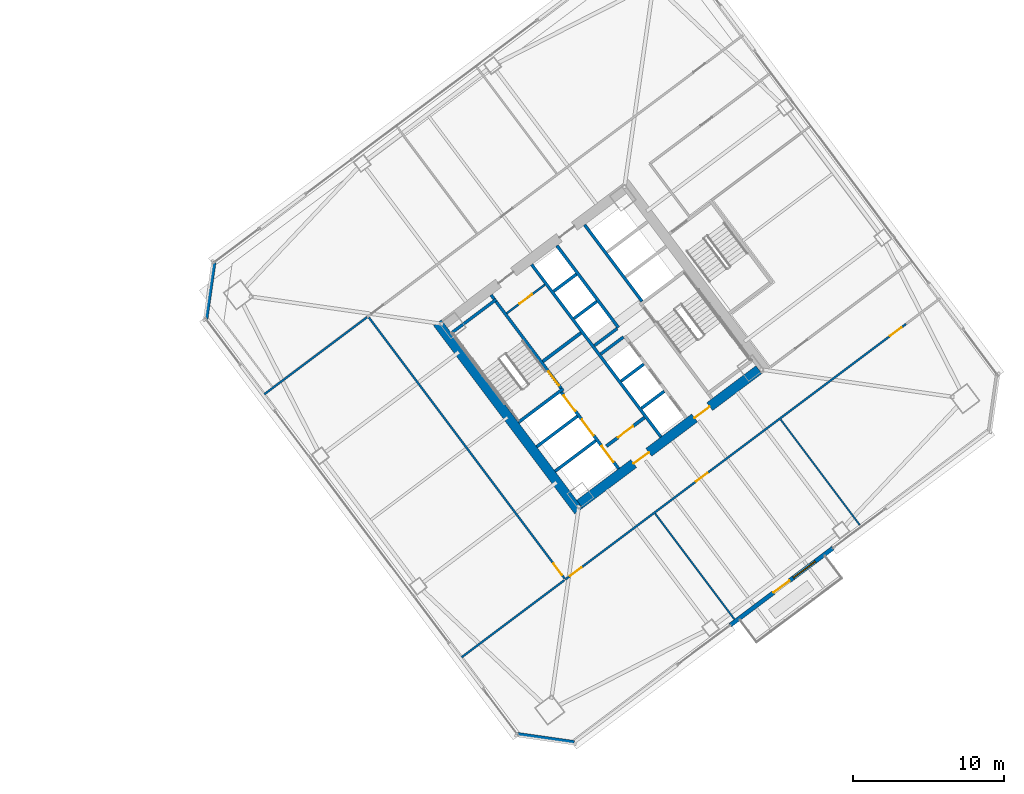
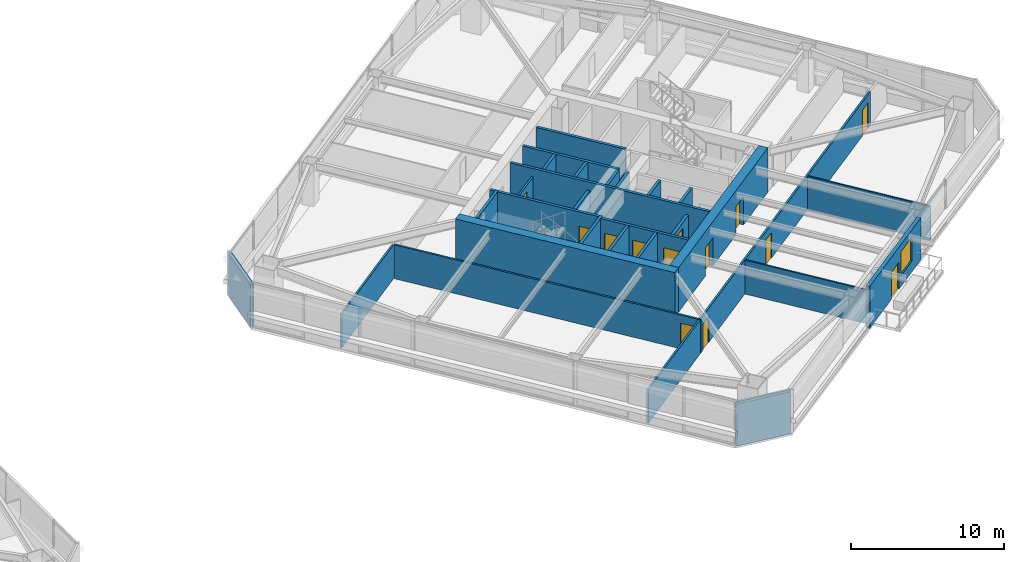
# One storey, part 40 of 48: 29 walls, 13 doors, 1 window, 14 openings.
"""IFC4 building model written with IfcOpenShell, lengths in metres."""

from ifc_helpers import new_model, si_unit, direction, frame, frame_2d, origin, place, context, subcontext, project, spatial, rectangle, extrude, material, layer, layer_set, type_object, element, fill, save


model = new_model("IFC4")

# Units and contexts
model_context = context("Model", 3, precision=1e-05, world=origin(), true_north=direction((0.0, 1.0)))
body_context = subcontext(model_context, "Body", "Model", "MODEL_VIEW")
ifc_project = project(units=[si_unit("LENGTHUNIT", "METRE"), si_unit("AREAUNIT", "SQUARE_METRE"), si_unit("VOLUMEUNIT", "CUBIC_METRE"), si_unit("PLANEANGLEUNIT", "RADIAN"), si_unit("MASSUNIT", "GRAM", prefix="KILO")], contexts=[model_context])

# Site, building, storey
site_placement = place(None, origin())
site = spatial("IfcSite", under=ifc_project, at=site_placement, CompositionType="ELEMENT")
building_placement = place(site_placement, origin())
building = spatial("IfcBuilding", under=site, at=building_placement, Name="Tashvorn Skyway Center", CompositionType="ELEMENT")
storey_placement = place(building_placement, frame((0.0, 0.0, 77.85009765625)))
storey = spatial("IfcBuildingStorey", under=building, at=storey_placement, Name="L20", CompositionType="ELEMENT", Elevation=77.85009765625)

# Wall
ifc_material_1 = material(Name="Concrete C60/75", Category="concrete")
ifc_layer_1 = layer(ifc_material_1, 0.64990234375)
ifc_layer_set_1 = layer_set([ifc_layer_1], Name="Concrete C60/75")
wall_type_1 = type_object("IfcWallType", Name="WALL-CORE-650", PredefinedType="SHEAR", material=ifc_layer_set_1)
wall_1_placement = place(storey_placement, frame((112.47607421875, 21.10693359375, 0.0), z_axis=(0.0, 0.0, 1.0), x_axis=(-0.600005007985, 0.799996243986, 0.0)))
element("IfcWall", 1, at=wall_1_placement, inside=storey, type_object=wall_type_1, Name="Tower 2 L20 West Core Shear Wall", PredefinedType="SHEAR", context=body_context, shape_type="SweptSolid", body=[
    extrude(rectangle(XDim=15.60009765625, YDim=0.64990234375, at=frame_2d((7.800048828125, 0.0))), origin(), (0.0, 0.0, 1.0), 3.5498046875),
])

# Wall, openings, doors
wall_2_placement = place(storey_placement, frame((124.428955078125, 30.47802734375, 0.0), z_axis=(0.0, 0.0, 1.0), x_axis=(-0.799998028465, -0.600002628705, 0.0)))
wall_2 = element("IfcWall", 2, at=wall_2_placement, inside=storey, type_object=wall_type_1, Name="Tower 2 L20 South Core Shear Wall", PredefinedType="SHEAR", context=body_context, shape_type="SweptSolid", body=[
    extrude(rectangle(XDim=14.85986328125, YDim=0.64990234375, at=frame_2d((7.429931640625, 0.0))), origin(), (0.0, 0.0, 1.0), 3.5498046875),
])
opening_1_placement = place(wall_2_placement, frame((9.1298828125, 0.0, 0.0)))
opening_1 = element("IfcOpeningElement", 3, at=opening_1_placement, cuts=wall_2, Name="Opening D-FFL-1250", PredefinedType="OPENING", context=body_context, shape_type="SweptSolid", body=[
    extrude(rectangle(XDim=1.25, YDim=2.25, at=frame_2d((0.625, 1.125))), frame((0.0, 0.3349609375, 0.0), z_axis=(0.0, -1.0, 0.0), x_axis=(1.0, 0.0, 0.0)), (0.0, 0.0, 1.0), 0.669921875),
])
opening_2_placement = place(wall_2_placement, frame((4.080078125, 0.0, 0.0)))
opening_2 = element("IfcOpeningElement", 4, at=opening_2_placement, cuts=wall_2, Name="Opening D-FFL-1250", PredefinedType="OPENING", context=body_context, shape_type="SweptSolid", body=[
    extrude(rectangle(XDim=1.25, YDim=2.25, at=frame_2d((0.625, 1.125))), frame((0.0, 0.3349609375, 0.0), z_axis=(0.0, -1.0, 0.0), x_axis=(1.0, 0.0, 0.0)), (0.0, 0.0, 1.0), 0.669921875),
])
ifc_material_2 = material(Name="Hollow galvanized steel fire door assembly", Category="steel")
door_type_1 = type_object("IfcDoorType", Name="DOOR-FFL-1250", OperationType="NOTDEFINED", PredefinedType="DOOR", material=ifc_material_2)
door_1_placement = place(opening_1_placement, origin())
door_1 = element("IfcDoor", 5, at=door_1_placement, inside=storey, type_object=door_type_1, Name="Tower 2 L20 Core South Firefighting Exit Door", OperationType="SINGLE_SWING_LEFT", OverallHeight=2.25, OverallWidth=1.25, PredefinedType="DOOR", context=body_context, shape_type="SweptSolid", body=[
    extrude(rectangle(XDim=1.25, YDim=2.25, at=frame_2d((0.625, 1.125))), frame((0.0, 0.02490234375, 0.0), z_axis=(0.0, -1.0, 0.0), x_axis=(1.0, 0.0, 0.0)), (0.0, 0.0, 1.0), 0.050048828125),
])
fill(opening_1, door_1)
door_2_placement = place(opening_2_placement, origin())
door_2 = element("IfcDoor", 6, at=door_2_placement, inside=storey, type_object=door_type_1, Name="Tower 2 L20 Core South Lift Lobby Door", OperationType="SINGLE_SWING_RIGHT", OverallHeight=2.25, OverallWidth=1.25, PredefinedType="DOOR", context=body_context, shape_type="SweptSolid", body=[
    extrude(rectangle(XDim=1.25, YDim=2.25, at=frame_2d((0.625, 1.125))), frame((0.0, 0.02490234375, 0.0), z_axis=(0.0, -1.0, 0.0), x_axis=(1.0, 0.0, 0.0)), (0.0, 0.0, 1.0), 0.050048828125),
])
fill(opening_2, door_2)

# Wall, openings, door, window
ifc_material_3 = material(Name="Precast concrete C40/50", Category="concrete")
ifc_layer_2 = layer(ifc_material_3, 0.280029296875)
ifc_layer_set_2 = layer_set([ifc_layer_2], Name="Precast concrete C40/50")
wall_type_2 = type_object("IfcWallType", Name="WALL-EXT-280", PredefinedType="SOLIDWALL", material=ifc_layer_set_2)
wall_3_placement = place(storey_placement, frame((129.327880859375, 18.64599609375, 0.0), z_axis=(0.0, 0.0, 1.0), x_axis=(-0.799986212866, -0.600018382406, 0.0)))
wall_3 = element("IfcWall", 7, at=wall_3_placement, inside=storey, type_object=wall_type_2, Name="Tower 2 L20 South Terrace Portal Wall", PredefinedType="SOLIDWALL", context=body_context, shape_type="SweptSolid", body=[
    extrude(rectangle(XDim=8.5, YDim=0.280029296875, at=frame_2d((4.25, 0.0))), origin(), (0.0, 0.0, 1.0), 3.349853515625),
])
opening_3_placement = place(wall_3_placement, frame((3.60009765625, 0.0, 0.0)))
opening_3 = element("IfcOpeningElement", 8, at=opening_3_placement, cuts=wall_3, Name="Opening D-TER-1300", PredefinedType="OPENING", context=body_context, shape_type="SweptSolid", body=[
    extrude(rectangle(XDim=1.300048828125, YDim=2.14990234375, at=frame_2d((0.64990234375, 1.074951171875))), frame((0.0, 0.14990234375, 0.0), z_axis=(0.0, -1.0, 0.0), x_axis=(1.0, 0.0, 0.0)), (0.0, 0.0, 1.0), 0.300048828125),
])
opening_4_placement = place(wall_3_placement, frame((1.4599609375, 0.0, 0.85009765625)))
opening_4 = element("IfcOpeningElement", 9, at=opening_4_placement, cuts=wall_3, Name="Opening WIN-1800", PredefinedType="OPENING", context=body_context, shape_type="SweptSolid", body=[
    extrude(rectangle(XDim=1.800048828125, YDim=1.919921875, at=frame_2d((0.89990234375, 0.9599609375))), frame((0.0, 0.14990234375, 0.0), z_axis=(0.0, -1.0, 0.0), x_axis=(1.0, 0.0, 0.0)), (0.0, 0.0, 1.0), 0.300048828125),
])
ifc_material_4 = material(Name="Thermally broken bronze-anodized aluminium 6063-T6", Category="aluminium")
door_type_2 = type_object("IfcDoorType", Name="DOOR-TERR-1300", OperationType="NOTDEFINED", PredefinedType="DOOR", material=ifc_material_4)
door_3_placement = place(opening_3_placement, origin())
door_3 = element("IfcDoor", 10, at=door_3_placement, inside=storey, type_object=door_type_2, Name="Tower 2 L20 Terrace Access Door", OperationType="SINGLE_SWING_LEFT", OverallHeight=2.14990234375, OverallWidth=1.300048828125, PredefinedType="DOOR", context=body_context, shape_type="SweptSolid", body=[
    extrude(rectangle(XDim=1.300048828125, YDim=2.14990234375, at=frame_2d((0.64990234375, 1.074951171875))), frame((0.0, 0.02490234375, 0.0), z_axis=(0.0, -1.0, 0.0), x_axis=(1.0, 0.0, 0.0)), (0.0, 0.0, 1.0), 0.050048828125),
])
fill(opening_3, door_3)
ifc_material_5 = material(Name="Low-E solar-control double insulating safety glass", Category="glass")
window_type = type_object("IfcWindowType", Name="WIN-TERR-1800", PartitioningType="SINGLE_PANEL", PredefinedType="WINDOW", material=ifc_material_5)
window_placement = place(opening_4_placement, origin())
window = element("IfcWindow", 11, at=window_placement, inside=storey, type_object=window_type, Name="Tower 2 L20 Terrace Window", OverallHeight=1.919921875, OverallWidth=1.800048828125, PartitioningType="SINGLE_PANEL", PredefinedType="WINDOW", context=body_context, shape_type="SweptSolid", body=[
    extrude(rectangle(XDim=1.800048828125, YDim=1.919921875, at=frame_2d((0.89990234375, 0.9599609375))), frame((0.0, 0.030029296875, 0.0), z_axis=(0.0, -1.0, 0.0), x_axis=(1.0, 0.0, 0.0)), (0.0, 0.0, 1.0), 0.06005859375),
])
fill(opening_4, window)

# Walls
for number, where, z_axis, x_axis, name in (
    (12, (112.179931640625, 5.760009765625, 0.0), (0.0, 0.0, 1.0), (-0.989948214866, 0.141430307517, 0.0), "Tower 2 L20 SW Precast Chamfer Wall"),
    (13, (87.760009765625, 33.820068359375, 0.0), (0.0, 0.0, 1.0), (0.141430307517, 0.989948214866, 0.0), "Tower 2 L20 NW Precast Chamfer Wall"),
):
    element("IfcWall", number, at=place(storey_placement, frame(where, z_axis=z_axis, x_axis=x_axis)), inside=storey, type_object=wall_type_2, Name=name, PredefinedType="SOLIDWALL", context=body_context, shape_type="SweptSolid", body=[
        extrude(rectangle(XDim=3.818359375, YDim=0.280029296875, at=frame_2d((1.9091796875, 0.0))), origin(), (0.0, 0.0, 1.0), 3.349853515625),
    ])
ifc_material_6 = material(Name="Concrete C40/50", Category="concrete")
ifc_layer_3 = layer(ifc_material_6, 0.219970703125)
ifc_layer_set_3 = layer_set([ifc_layer_3], Name="Concrete C40/50")
wall_type_3 = type_object("IfcWallType", Name="WALL-FFL-220", PredefinedType="SOLIDWALL", material=ifc_layer_set_3)
wall_4_placement = place(storey_placement, frame((110.10400390625, 31.028076171875, 0.0), z_axis=(0.0, 0.0, 1.0), x_axis=(0.800018601094, 0.59997519774, 0.0)))
element("IfcWall", 14, at=wall_4_placement, inside=storey, type_object=wall_type_3, Name="Tower 2 L20 Firefighting Lobby North Wall", PredefinedType="SOLIDWALL", context=body_context, shape_type="SweptSolid", body=[
    extrude(rectangle(XDim=3.14990234375, YDim=0.219970703125, at=frame_2d((1.574951171875, 0.0))), origin(), (0.0, 0.0, 1.0), 2.702880859375),
])

# Wall, opening, door
wall_5_placement = place(storey_placement, frame((114.31591796875, 25.412109375, 0.0), z_axis=(0.0, 0.0, 1.0), x_axis=(0.800018601094, 0.59997519774, 0.0)))
wall_5 = element("IfcWall", 15, at=wall_5_placement, inside=storey, type_object=wall_type_3, Name="Tower 2 L20 Firefighting Lobby South Wall", PredefinedType="SOLIDWALL", context=body_context, shape_type="SweptSolid", body=[
    extrude(rectangle(XDim=3.14990234375, YDim=0.219970703125, at=frame_2d((1.574951171875, 0.0))), origin(), (0.0, 0.0, 1.0), 2.702880859375),
])
opening_5_placement = place(wall_5_placement, frame((0.949951171875, 0.0, 0.0)))
opening_5 = element("IfcOpeningElement", 16, at=opening_5_placement, cuts=wall_5, Name="Opening D-FFL-1250", PredefinedType="OPENING", context=body_context, shape_type="SweptSolid", body=[
    extrude(rectangle(XDim=1.25, YDim=2.25, at=frame_2d((0.625, 1.125))), frame((0.0, 0.119873046875, 0.0), z_axis=(0.0, -1.0, 0.0), x_axis=(1.0, 0.0, 0.0)), (0.0, 0.0, 1.0), 0.239990234375),
])
door_4_placement = place(opening_5_placement, origin())
door_4 = element("IfcDoor", 17, at=door_4_placement, inside=storey, type_object=door_type_1, Name="Tower 2 L20 Firefighting Lobby Egress Door", OperationType="SINGLE_SWING_LEFT", OverallHeight=2.25, OverallWidth=1.25, PredefinedType="DOOR", context=body_context, shape_type="SweptSolid", body=[
    extrude(rectangle(XDim=1.25, YDim=2.25, at=frame_2d((0.625, 1.125))), frame((0.0, 0.02490234375, 0.0), z_axis=(0.0, -1.0, 0.0), x_axis=(1.0, 0.0, 0.0)), (0.0, 0.0, 1.0), 0.050048828125),
])
fill(opening_5, door_4)

# Walls
ifc_material_7 = material(Name="Gypsum board on cold-formed steel stud framing", Category="steel")
ifc_layer_4 = layer(ifc_material_7, 0.110107421875)
ifc_layer_set_4 = layer_set([ifc_layer_4], Name="Gypsum board on cold-formed steel stud framing")
wall_type_4 = type_object("IfcWallType", Name="WALL-PART-110", PredefinedType="PARTITIONING", material=ifc_layer_set_4)
for number, where, z_axis, x_axis, name in (
    (18, (122.798095703125, 13.93603515625, 0.0), (0.0, 0.0, 1.0), (-0.6, 0.8, 0.0), "Tower 2 L20 South Suite Partition 1"),
    (19, (131.117919921875, 20.176025390625, 0.0), (0.0, 0.0, 1.0), (-0.6, 0.8, 0.0), "Tower 2 L20 South Suite Partition 2"),
):
    element("IfcWall", number, at=place(storey_placement, frame(where, z_axis=z_axis, x_axis=x_axis)), inside=storey, type_object=wall_type_4, Name=name, PredefinedType="PARTITIONING", context=body_context, shape_type="SweptSolid", body=[
        extrude(rectangle(XDim=8.75, YDim=0.110107421875, at=frame_2d((4.375, 0.0))), origin(), (0.0, 0.0, 1.0), 2.702880859375),
    ])

# Wall, openings, doors
ifc_layer_5 = layer(ifc_material_7, 0.135009765625)
ifc_layer_set_5 = layer_set([ifc_layer_5], Name="Gypsum board on cold-formed steel stud framing")
wall_type_5 = type_object("IfcWallType", Name="WALL-PART-135", PredefinedType="PARTITIONING", material=ifc_layer_set_5)
wall_6_placement = place(storey_placement, frame((134.179931640625, 33.510009765625, 0.0), z_axis=(0.0, 0.0, 1.0), x_axis=(-0.8, -0.6, 0.0)))
wall_6 = element("IfcWall", 20, at=wall_6_placement, inside=storey, type_object=wall_type_5, Name="Tower 2 L20 South Suite Wall", PredefinedType="PARTITIONING", context=body_context, shape_type="SweptSolid", body=[
    extrude(rectangle(XDim=28.22998046875, YDim=0.135009765625, at=frame_2d((14.114990234375, 0.0))), origin(), (0.0, 0.0, 1.0), 2.702880859375),
])
opening_6_placement = place(wall_6_placement, frame((26.89990234375, 0.0, 0.0)))
opening_6 = element("IfcOpeningElement", 21, at=opening_6_placement, cuts=wall_6, Name="Opening D-INT-950", PredefinedType="OPENING", context=body_context, shape_type="SweptSolid", body=[
    extrude(rectangle(XDim=0.949951171875, YDim=2.050048828125, at=frame_2d((0.47509765625, 1.02490234375))), frame((0.0, 0.077392578125, 0.0), z_axis=(0.0, -1.0, 0.0), x_axis=(1.0, 0.0, 0.0)), (0.0, 0.0, 1.0), 0.155029296875),
])
opening_7_placement = place(wall_6_placement, frame((16.452880859375, 0.0, 0.0)))
opening_7 = element("IfcOpeningElement", 22, at=opening_7_placement, cuts=wall_6, Name="Opening D-INT-950", PredefinedType="OPENING", context=body_context, shape_type="SweptSolid", body=[
    extrude(rectangle(XDim=0.949951171875, YDim=2.050048828125, at=frame_2d((0.47509765625, 1.02490234375))), frame((0.0, 0.077392578125, 0.0), z_axis=(0.0, -1.0, 0.0), x_axis=(1.0, 0.0, 0.0)), (0.0, 0.0, 1.0), 0.155029296875),
])
opening_8_placement = place(wall_6_placement, frame((0.3798828125, 0.0, 0.0)))
opening_8 = element("IfcOpeningElement", 23, at=opening_8_placement, cuts=wall_6, Name="Opening D-INT-950", PredefinedType="OPENING", context=body_context, shape_type="SweptSolid", body=[
    extrude(rectangle(XDim=0.949951171875, YDim=2.050048828125, at=frame_2d((0.47509765625, 1.02490234375))), frame((0.0, 0.077392578125, 0.0), z_axis=(0.0, -1.0, 0.0), x_axis=(1.0, 0.0, 0.0)), (0.0, 0.0, 1.0), 0.155029296875),
])
ifc_material_8 = material(Name="Solid-core architectural oak veneer door")
door_type_3 = type_object("IfcDoorType", Name="DOOR-INT-950", OperationType="NOTDEFINED", PredefinedType="DOOR", material=ifc_material_8)
door_5_placement = place(opening_6_placement, origin())
door_5 = element("IfcDoor", 24, at=door_5_placement, inside=storey, type_object=door_type_3, Name="Tower 2 L20 Conference Room Door", OperationType="SINGLE_SWING_LEFT", OverallHeight=2.050048828125, OverallWidth=0.949951171875, PredefinedType="DOOR", context=body_context, shape_type="SweptSolid", body=[
    extrude(rectangle(XDim=0.949951171875, YDim=2.050048828125, at=frame_2d((0.47509765625, 1.02490234375))), frame((0.0, 0.02490234375, 0.0), z_axis=(0.0, -1.0, 0.0), x_axis=(1.0, 0.0, 0.0)), (0.0, 0.0, 1.0), 0.050048828125),
])
fill(opening_6, door_5)
door_6_placement = place(opening_7_placement, origin())
door_6 = element("IfcDoor", 25, at=door_6_placement, inside=storey, type_object=door_type_3, Name="Tower 2 L20 Collaborative Studio Door", OperationType="SINGLE_SWING_RIGHT", OverallHeight=2.050048828125, OverallWidth=0.949951171875, PredefinedType="DOOR", context=body_context, shape_type="SweptSolid", body=[
    extrude(rectangle(XDim=0.949951171875, YDim=2.050048828125, at=frame_2d((0.47509765625, 1.02490234375))), frame((0.0, 0.02490234375, 0.0), z_axis=(0.0, -1.0, 0.0), x_axis=(1.0, 0.0, 0.0)), (0.0, 0.0, 1.0), 0.050048828125),
])
fill(opening_7, door_6)
door_7_placement = place(opening_8_placement, origin())
door_7 = element("IfcDoor", 26, at=door_7_placement, inside=storey, type_object=door_type_3, Name="Tower 2 L20 Collaborative Studio Door", OperationType="SINGLE_SWING_LEFT", OverallHeight=2.050048828125, OverallWidth=0.949951171875, PredefinedType="DOOR", context=body_context, shape_type="SweptSolid", body=[
    extrude(rectangle(XDim=0.949951171875, YDim=2.050048828125, at=frame_2d((0.47509765625, 1.02490234375))), frame((0.0, 0.02490234375, 0.0), z_axis=(0.0, -1.0, 0.0), x_axis=(1.0, 0.0, 0.0)), (0.0, 0.0, 1.0), 0.050048828125),
])
fill(opening_8, door_7)

# Wall, opening, door
wall_7_placement = place(storey_placement, frame((111.548095703125, 16.635986328125, 0.0), z_axis=(0.0, 0.0, 1.0), x_axis=(-0.600003610192, 0.799997292343, 0.0)))
wall_7 = element("IfcWall", 27, at=wall_7_placement, inside=storey, type_object=wall_type_5, Name="Tower 2 L20 West Inner Suite Wall", PredefinedType="PARTITIONING", context=body_context, shape_type="SweptSolid", body=[
    extrude(rectangle(XDim=21.64013671875, YDim=0.135009765625, at=frame_2d((10.820068359375, 0.0))), origin(), (0.0, 0.0, 1.0), 2.702880859375),
])
opening_9_placement = place(wall_7_placement, frame((0.300048828125, 0.0, 0.0)))
opening_9 = element("IfcOpeningElement", 28, at=opening_9_placement, cuts=wall_7, Name="Opening D-INT-950", PredefinedType="OPENING", context=body_context, shape_type="SweptSolid", body=[
    extrude(rectangle(XDim=0.949951171875, YDim=2.050048828125, at=frame_2d((0.47509765625, 1.02490234375))), frame((0.0, 0.077392578125, 0.0), z_axis=(0.0, -1.0, 0.0), x_axis=(1.0, 0.0, 0.0)), (0.0, 0.0, 1.0), 0.155029296875),
])
door_8_placement = place(opening_9_placement, origin())
door_8 = element("IfcDoor", 29, at=door_8_placement, inside=storey, type_object=door_type_3, Name="Tower 2 L20 Catering Pantry Door", OperationType="SINGLE_SWING_RIGHT", OverallHeight=2.050048828125, OverallWidth=0.949951171875, PredefinedType="DOOR", context=body_context, shape_type="SweptSolid", body=[
    extrude(rectangle(XDim=0.949951171875, YDim=2.050048828125, at=frame_2d((0.47509765625, 1.02490234375))), frame((0.0, 0.02490234375, 0.0), z_axis=(0.0, -1.0, 0.0), x_axis=(1.0, 0.0, 0.0)), (0.0, 0.0, 1.0), 0.050048828125),
])
fill(opening_9, door_8)

# Walls
wall_8_placement = place(storey_placement, frame((98.451904296875, 33.964111328125, 0.0), z_axis=(0.0, 0.0, 1.0), x_axis=(-0.799993202584, -0.600009063115, 0.0)))
element("IfcWall", 30, at=wall_8_placement, inside=storey, type_object=wall_type_5, Name="Tower 2 L20 West Suite North Wall", PredefinedType="PARTITIONING", context=body_context, shape_type="SweptSolid", body=[
    extrude(rectangle(XDim=8.6201171875, YDim=0.135009765625, at=frame_2d((4.31005859375, 0.0))), origin(), (0.0, 0.0, 1.0), 2.702880859375),
])
wall_9_placement = place(storey_placement, frame((104.635986328125, 11.35205078125, 0.0), z_axis=(0.0, 0.0, 1.0), x_axis=(0.800006797429, 0.599990936654, 0.0)))
element("IfcWall", 31, at=wall_9_placement, inside=storey, type_object=wall_type_5, Name="Tower 2 L20 West Suite South Wall", PredefinedType="PARTITIONING", context=body_context, shape_type="SweptSolid", body=[
    extrude(rectangle(XDim=8.619873046875, YDim=0.135009765625, at=frame_2d((4.31005859375, 0.0))), origin(), (0.0, 0.0, 1.0), 2.702880859375),
])

# Wall, opening, door
ifc_layer_6 = layer(ifc_material_7, 0.135009765625)
ifc_layer_set_6 = layer_set([ifc_layer_6], Name="Gypsum board on cold-formed steel stud framing")
wall_type_6 = type_object("IfcWallType", Name="WALL-RATED-135", PredefinedType="PARTITIONING", material=ifc_layer_set_6)
wall_10_placement = place(storey_placement, frame((107.7099609375, 34.219970703125, 0.0), z_axis=(0.0, 0.0, 1.0), x_axis=(0.799981399002, 0.60002480053, 0.0)))
wall_10 = element("IfcWall", 32, at=wall_10_placement, inside=storey, type_object=wall_type_6, Name="Tower 2 L20 Core Service Lobby Wall", PredefinedType="PARTITIONING", context=body_context, shape_type="SweptSolid", body=[
    extrude(rectangle(XDim=3.150146484375, YDim=0.135009765625, at=frame_2d((1.5751953125, 0.0))), origin(), (0.0, 0.0, 1.0), 2.702880859375),
])
opening_10_placement = place(wall_10_placement, frame((1.050048828125, 0.0, 0.0)))
opening_10 = element("IfcOpeningElement", 33, at=opening_10_placement, cuts=wall_10, Name="Opening D-RT-1050", PredefinedType="OPENING", context=body_context, shape_type="SweptSolid", body=[
    extrude(rectangle(XDim=1.050048828125, YDim=2.199951171875, at=frame_2d((0.52490234375, 1.10009765625))), frame((0.0, 0.077392578125, 0.0), z_axis=(0.0, -1.0, 0.0), x_axis=(1.0, 0.0, 0.0)), (0.0, 0.0, 1.0), 0.155029296875),
])
door_type_4 = type_object("IfcDoorType", Name="DOOR-RATED-1050", OperationType="NOTDEFINED", PredefinedType="DOOR", material=ifc_material_2)
door_9_placement = place(opening_10_placement, origin())
door_9 = element("IfcDoor", 34, at=door_9_placement, inside=storey, type_object=door_type_4, Name="Tower 2 L20 Core Accessible WC Door", OperationType="SINGLE_SWING_LEFT", OverallHeight=2.199951171875, OverallWidth=1.050048828125, PredefinedType="DOOR", context=body_context, shape_type="SweptSolid", body=[
    extrude(rectangle(XDim=1.050048828125, YDim=2.199951171875, at=frame_2d((0.52490234375, 1.10009765625))), frame((0.0, 0.02490234375, 0.0), z_axis=(0.0, -1.0, 0.0), x_axis=(1.0, 0.0, 0.0)), (0.0, 0.0, 1.0), 0.050048828125),
])
fill(opening_10, door_9)

# Walls
ifc_layer_7 = layer(ifc_material_6, 0.199951171875)
ifc_layer_set_7 = layer_set([ifc_layer_7], Name="Concrete C40/50")
wall_type_7 = type_object("IfcWallType", Name="WALL-SHAFT-200", PredefinedType="SOLIDWALL", material=ifc_layer_set_7)
for number, where, z_axis, x_axis, name in (
    (35, (110.906005859375, 23.741943359375, 0.0), (0.0, 0.0, 1.0), (0.8, 0.6, 0.0), "Tower 2 L20 FSAE Shaft Divider"),
    (36, (109.68798828125, 25.365966796875, 0.0), (0.0, 0.0, 1.0), (0.8, 0.6, 0.0), "Tower 2 L20 FSAE Shaft Divider"),
):
    element("IfcWall", number, at=place(storey_placement, frame(where, z_axis=z_axis, x_axis=x_axis)), inside=storey, type_object=wall_type_7, Name=name, PredefinedType="SOLIDWALL", context=body_context, shape_type="SweptSolid", body=[
        extrude(rectangle(XDim=3.380126953125, YDim=0.199951171875, at=frame_2d((1.68994140625, 0.0))), origin(), (0.0, 0.0, 1.0), 3.349853515625),
    ])
wall_11_placement = place(storey_placement, frame((116.64599609375, 27.922119140625, 0.0), z_axis=(0.0, 0.0, 1.0), x_axis=(0.8, 0.6, 0.0)))
element("IfcWall", 37, at=wall_11_placement, inside=storey, type_object=wall_type_7, Name="Tower 2 L20 Low-Rise Shaft Divider", PredefinedType="SOLIDWALL", context=body_context, shape_type="SweptSolid", body=[
    extrude(rectangle(XDim=1.8798828125, YDim=0.199951171875, at=frame_2d((0.93994140625, 0.0))), origin(), (0.0, 0.0, 1.0), 3.349853515625),
])
wall_12_placement = place(storey_placement, frame((115.2958984375, 29.721923828125, 0.0), z_axis=(0.0, 0.0, 1.0), x_axis=(0.799984418148, 0.600020775241, 0.0)))
element("IfcWall", 38, at=wall_12_placement, inside=storey, type_object=wall_type_7, Name="Tower 2 L20 Low-Rise Shaft Divider", PredefinedType="SOLIDWALL", context=body_context, shape_type="SweptSolid", body=[
    extrude(rectangle(XDim=1.880126953125, YDim=0.199951171875, at=frame_2d((0.93994140625, 0.0))), origin(), (0.0, 0.0, 1.0), 3.349853515625),
])
wall_13_placement = place(storey_placement, frame((113.946044921875, 31.52197265625, 0.0), z_axis=(0.0, 0.0, 1.0), x_axis=(0.8, 0.6, 0.0)))
element("IfcWall", 39, at=wall_13_placement, inside=storey, type_object=wall_type_7, Name="Tower 2 L20 Low-Rise Shaft Divider", PredefinedType="SOLIDWALL", context=body_context, shape_type="SweptSolid", body=[
    extrude(rectangle(XDim=1.8798828125, YDim=0.199951171875, at=frame_2d((0.93994140625, 0.0))), origin(), (0.0, 0.0, 1.0), 3.349853515625),
])
wall_14_placement = place(storey_placement, frame((115.110107421875, 33.27001953125, 0.0), z_axis=(0.0, 0.0, 1.0), x_axis=(-0.600011488909, 0.79999138319, 0.0)))
element("IfcWall", 40, at=wall_14_placement, inside=storey, type_object=wall_type_7, Name="Tower 2 L20 Mid-Rise Core Wall", PredefinedType="SOLIDWALL", context=body_context, shape_type="SweptSolid", body=[
    extrude(rectangle(XDim=6.800048828125, YDim=0.199951171875, at=frame_2d((3.39990234375, 0.0))), origin(), (0.0, 0.0, 1.0), 3.349853515625),
])
wall_15_placement = place(storey_placement, frame((113.52587890625, 32.08203125, 0.0), z_axis=(0.0, 0.0, 1.0), x_axis=(0.800046745961, 0.599937666993, 0.0)))
element("IfcWall", 41, at=wall_15_placement, inside=storey, type_object=wall_type_7, Name="Tower 2 L20 Mid-Rise Shaft Divider", PredefinedType="SOLIDWALL", context=body_context, shape_type="SweptSolid", body=[
    extrude(rectangle(XDim=1.880126953125, YDim=0.199951171875, at=frame_2d((0.93994140625, 0.0))), origin(), (0.0, 0.0, 1.0), 3.349853515625),
])
wall_16_placement = place(storey_placement, frame((112.176025390625, 33.882080078125, 0.0), z_axis=(0.0, 0.0, 1.0), x_axis=(0.8, 0.6, 0.0)))
element("IfcWall", 42, at=wall_16_placement, inside=storey, type_object=wall_type_7, Name="Tower 2 L20 Mid-Rise Shaft Divider", PredefinedType="SOLIDWALL", context=body_context, shape_type="SweptSolid", body=[
    extrude(rectangle(XDim=1.8798828125, YDim=0.199951171875, at=frame_2d((0.93994140625, 0.0))), origin(), (0.0, 0.0, 1.0), 3.349853515625),
])
wall_17_placement = place(storey_placement, frame((110.825927734375, 35.681884765625, 0.0), z_axis=(0.0, 0.0, 1.0), x_axis=(0.799984418148, 0.600020775241, 0.0)))
element("IfcWall", 43, at=wall_17_placement, inside=storey, type_object=wall_type_7, Name="Tower 2 L20 Mid-Rise Shaft Divider", PredefinedType="SOLIDWALL", context=body_context, shape_type="SweptSolid", body=[
    extrude(rectangle(XDim=1.880126953125, YDim=0.199951171875, at=frame_2d((0.93994140625, 0.0))), origin(), (0.0, 0.0, 1.0), 3.349853515625),
])

# Wall, opening, door
ifc_layer_8 = layer(ifc_material_6, 0.199951171875)
ifc_layer_set_8 = layer_set([ifc_layer_8], Name="Concrete C40/50")
wall_type_8 = type_object("IfcWallType", Name="WALL-STSHF-200", PredefinedType="SHEAR", material=ifc_layer_set_8)
wall_18_placement = place(storey_placement, frame((111.43994140625, 29.080078125, 0.0), z_axis=(0.0, 0.0, 1.0), x_axis=(-0.600009827119, 0.799992629566, 0.0)))
wall_18 = element("IfcWall", 44, at=wall_18_placement, inside=storey, type_object=wall_type_8, Name="Tower 2 L20 Stair 1 Enclosure Wall", PredefinedType="SHEAR", context=body_context, shape_type="SweptSolid", body=[
    extrude(rectangle(XDim=7.949951171875, YDim=0.199951171875, at=frame_2d((3.97509765625, 0.0))), origin(), (0.0, 0.0, 1.0), 3.349853515625),
])
opening_11_placement = place(wall_18_placement, frame((0.449951171875, 0.0, 0.0)))
opening_11 = element("IfcOpeningElement", 45, at=opening_11_placement, cuts=wall_18, Name="Opening D-ST-1150", PredefinedType="OPENING", context=body_context, shape_type="SweptSolid", body=[
    extrude(rectangle(XDim=1.14990234375, YDim=2.199951171875, at=frame_2d((0.574951171875, 1.10009765625))), frame((0.0, 0.10986328125, 0.0), z_axis=(0.0, -1.0, 0.0), x_axis=(1.0, 0.0, 0.0)), (0.0, 0.0, 1.0), 0.219970703125),
])
door_type_5 = type_object("IfcDoorType", Name="DOOR-STAIR-1150", OperationType="NOTDEFINED", PredefinedType="DOOR", material=ifc_material_2)
door_10_placement = place(opening_11_placement, origin())
door_10 = element("IfcDoor", 46, at=door_10_placement, inside=storey, type_object=door_type_5, Name="Tower 2 L20 Exit Stair 1 Door", OperationType="SINGLE_SWING_RIGHT", OverallHeight=2.199951171875, OverallWidth=1.14990234375, PredefinedType="DOOR", context=body_context, shape_type="SweptSolid", body=[
    extrude(rectangle(XDim=1.14990234375, YDim=2.199951171875, at=frame_2d((0.574951171875, 1.10009765625))), frame((0.0, 0.02490234375, 0.0), z_axis=(0.0, -1.0, 0.0), x_axis=(1.0, 0.0, 0.0)), (0.0, 0.0, 1.0), 0.050048828125),
])
fill(opening_11, door_10)

# Walls
for number, where, z_axis, x_axis, name in (
    (47, (108.47607421875, 26.98193359375, 0.0), (0.0, 0.0, 1.0), (0.799984290658, 0.600020945218, 0.0), "Tower 2 L20 Stair 1 South Wall"),
    (48, (104.035888671875, 32.902099609375, 0.0), (0.0, 0.0, 1.0), (0.800039270442, 0.59994763584, 0.0), "Tower 2 L20 Stair 1 North Wall"),
):
    element("IfcWall", number, at=place(storey_placement, frame(where, z_axis=z_axis, x_axis=x_axis)), inside=storey, type_object=wall_type_8, Name=name, PredefinedType="SHEAR", context=body_context, shape_type="SweptSolid", body=[
        extrude(rectangle(XDim=3.72998046875, YDim=0.199951171875, at=frame_2d((1.864990234375, 0.0))), origin(), (0.0, 0.0, 1.0), 3.349853515625),
    ])
wall_19_placement = place(storey_placement, frame((117.93798828125, 26.01611328125, 0.0), z_axis=(0.0, 0.0, 1.0), x_axis=(-0.600005463273, 0.799995902516, 0.0)))
element("IfcWall", 49, at=wall_19_placement, inside=storey, type_object=wall_type_8, Name="Tower 2 L20 Firefighting Lobby East Smoke Barrier", PredefinedType="SHEAR", context=body_context, shape_type="SweptSolid", body=[
    extrude(rectangle(XDim=14.300048828125, YDim=0.199951171875, at=frame_2d((7.14990234375, 0.0))), origin(), (0.0, 0.0, 1.0), 3.349853515625),
])

# Wall, openings, doors
wall_20_placement = place(storey_placement, frame((115.1298828125, 23.909912109375, 0.0), z_axis=(0.0, 0.0, 1.0), x_axis=(-0.599975393228, 0.800018454488, 0.0)))
wall_20 = element("IfcWall", 50, at=wall_20_placement, inside=storey, type_object=wall_type_8, Name="Tower 2 L20 FSAE and Goods Shaft Front Wall", PredefinedType="SHEAR", context=body_context, shape_type="SweptSolid", body=[
    extrude(rectangle(XDim=6.349853515625, YDim=0.199951171875, at=frame_2d((3.1748046875, 0.0))), origin(), (0.0, 0.0, 1.0), 3.349853515625),
])
opening_12_placement = place(wall_20_placement, frame((4.77490234375, 0.0, 0.0)))
opening_12 = element("IfcOpeningElement", 51, at=opening_12_placement, cuts=wall_20, Name="Opening LD-FF-T2-1-L20", PredefinedType="OPENING", context=body_context, shape_type="SweptSolid", body=[
    extrude(rectangle(XDim=1.300048828125, YDim=2.25, at=frame_2d((0.64990234375, 1.125))), frame((0.0, 0.10986328125, 0.0), z_axis=(0.0, -1.0, 0.0), x_axis=(1.0, 0.0, 0.0)), (0.0, 0.0, 1.0), 0.219970703125),
])
opening_13_placement = place(wall_20_placement, frame((2.77490234375, 0.0, 0.0)))
opening_13 = element("IfcOpeningElement", 52, at=opening_13_placement, cuts=wall_20, Name="Opening LD-FF-T2-2-L20", PredefinedType="OPENING", context=body_context, shape_type="SweptSolid", body=[
    extrude(rectangle(XDim=1.300048828125, YDim=2.25, at=frame_2d((0.64990234375, 1.125))), frame((0.0, 0.10986328125, 0.0), z_axis=(0.0, -1.0, 0.0), x_axis=(1.0, 0.0, 0.0)), (0.0, 0.0, 1.0), 0.219970703125),
])
opening_14_placement = place(wall_20_placement, frame((0.574951171875, 0.0, 0.0)))
opening_14 = element("IfcOpeningElement", 53, at=opening_14_placement, cuts=wall_20, Name="Opening LD-GD-T2-1-L20", PredefinedType="OPENING", context=body_context, shape_type="SweptSolid", body=[
    extrude(rectangle(XDim=1.300048828125, YDim=2.25, at=frame_2d((0.64990234375, 1.125))), frame((0.0, 0.10986328125, 0.0), z_axis=(0.0, -1.0, 0.0), x_axis=(1.0, 0.0, 0.0)), (0.0, 0.0, 1.0), 0.219970703125),
])
ifc_material_9 = material(Name="Stainless steel heavy-duty landing door", Category="steel")
door_type_6 = type_object("IfcDoorType", Name="DOOR-LIFT-1300", OperationType="SLIDING_TO_LEFT", PredefinedType="DOOR", material=ifc_material_9)
door_11_placement = place(opening_12_placement, origin())
door_11 = element("IfcDoor", 54, at=door_11_placement, inside=storey, type_object=door_type_6, Name="Lift FF-T2-1 L20 Landing Door", OperationType="SLIDING_TO_LEFT", OverallHeight=2.25, OverallWidth=1.300048828125, PredefinedType="DOOR", context=body_context, shape_type="SweptSolid", body=[
    extrude(rectangle(XDim=1.300048828125, YDim=2.25, at=frame_2d((0.64990234375, 1.125))), frame((0.0, 0.02490234375, 0.0), z_axis=(0.0, -1.0, 0.0), x_axis=(1.0, 0.0, 0.0)), (0.0, 0.0, 1.0), 0.050048828125),
])
fill(opening_12, door_11)
door_12_placement = place(opening_13_placement, origin())
door_12 = element("IfcDoor", 55, at=door_12_placement, inside=storey, type_object=door_type_6, Name="Lift FF-T2-2 L20 Landing Door", OperationType="SLIDING_TO_LEFT", OverallHeight=2.25, OverallWidth=1.300048828125, PredefinedType="DOOR", context=body_context, shape_type="SweptSolid", body=[
    extrude(rectangle(XDim=1.300048828125, YDim=2.25, at=frame_2d((0.64990234375, 1.125))), frame((0.0, 0.02490234375, 0.0), z_axis=(0.0, -1.0, 0.0), x_axis=(1.0, 0.0, 0.0)), (0.0, 0.0, 1.0), 0.050048828125),
])
fill(opening_13, door_12)
door_13_placement = place(opening_14_placement, origin())
door_13 = element("IfcDoor", 56, at=door_13_placement, inside=storey, type_object=door_type_6, Name="Lift GD-T2-1 L20 Landing Door", OperationType="SLIDING_TO_LEFT", OverallHeight=2.25, OverallWidth=1.300048828125, PredefinedType="DOOR", context=body_context, shape_type="SweptSolid", body=[
    extrude(rectangle(XDim=1.300048828125, YDim=2.25, at=frame_2d((0.64990234375, 1.125))), frame((0.0, 0.02490234375, 0.0), z_axis=(0.0, -1.0, 0.0), x_axis=(1.0, 0.0, 0.0)), (0.0, 0.0, 1.0), 0.050048828125),
])
fill(opening_14, door_13)

# Wall
wall_21_placement = place(storey_placement, frame((112.8701171875, 40.090087890625, 0.0), z_axis=(0.0, 0.0, 1.0), x_axis=(0.599975393228, -0.800018454488, 0.0)))
element("IfcWall", 57, at=wall_21_placement, inside=storey, type_object=wall_type_8, Name="Tower 2 L20 High-Rise Lift Shaft Front Wall", PredefinedType="SHEAR", context=body_context, shape_type="SweptSolid", body=[
    extrude(rectangle(XDim=6.349853515625, YDim=0.199951171875, at=frame_2d((3.1748046875, 0.0))), origin(), (0.0, 0.0, 1.0), 3.349853515625),
])

save(model, "model.ifc")
